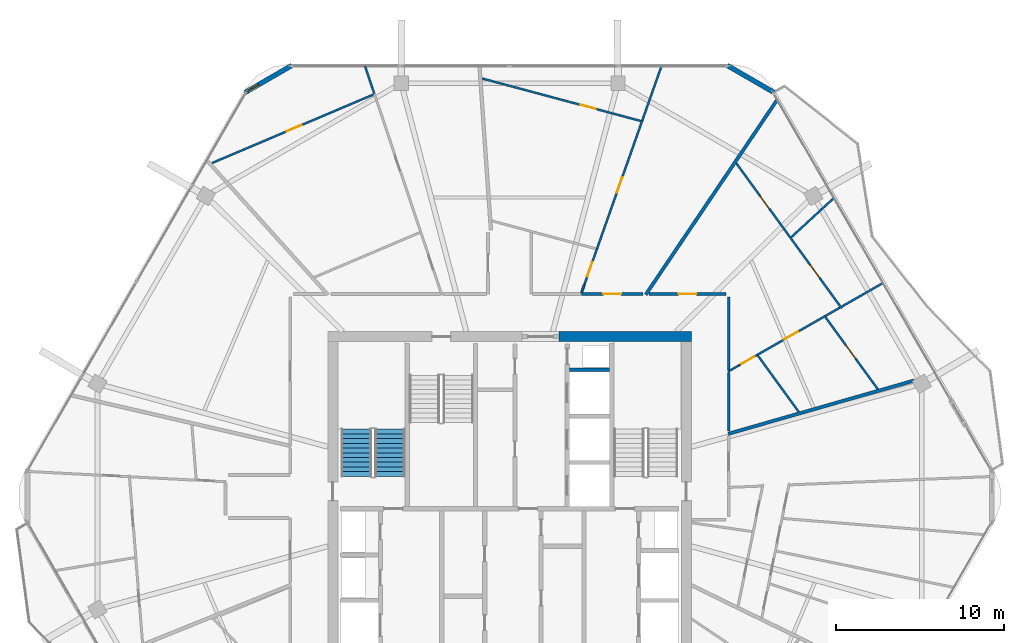
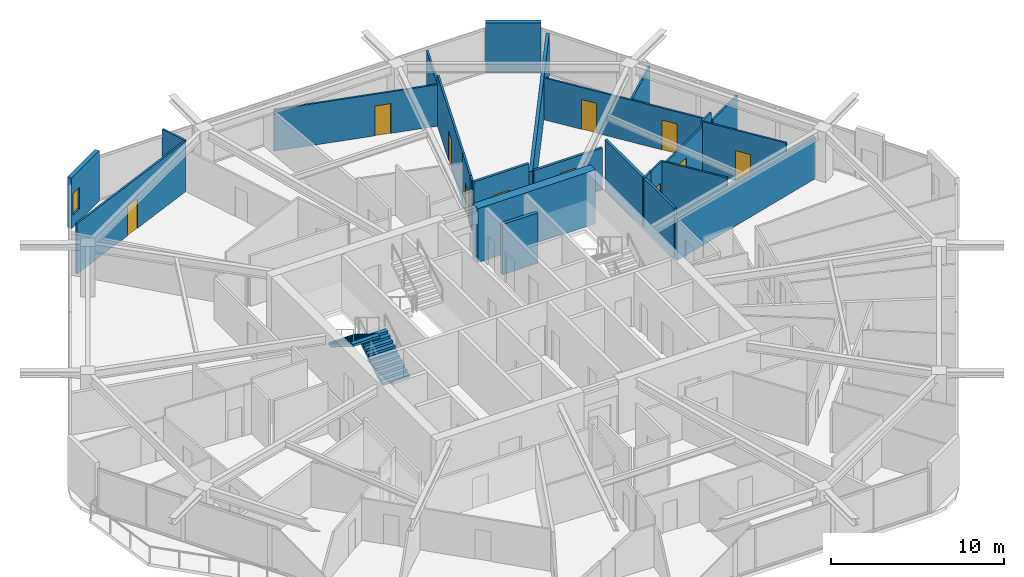
# One storey, part 22 of 26: 26 walls, 11 doors, 2 stair flights, 1 window, 12 openings, 1 element without a shape of its own.
"""IFC4 building model written with IfcOpenShell, lengths in metres."""

import ifcopenshell
import ifcopenshell.guid

model = None  # the IFC model being written
_history = None  # IfcOwnerHistory: only IFC2X3 demands one
_inside = {}  # id of a spatial element -> (the spatial element, [elements in it])
_under = {}  # id of a project, library or spatial element -> (it, [spatial elements below it])
_declared = {}  # id of a project -> (the project, [libraries it declares])
_typed = {}  # id of a type object -> (the type object, [elements of that type])
_made_of = {}  # id of a material, layer set ... -> (it, [elements and type objects made of it])


def new_model(schema):
    """Start an empty IFC model of exactly this schema.

    Asked for "IFC4X3", IfcOpenShell would pick the latest addendum, in which some entities
    have other attributes; the version numbers below select the first issue.
    IFC2X3 requires an IfcOwnerHistory on every rooted entity: one is made here for all.
    """
    global model, _history
    if schema == "IFC4X3":
        model = ifcopenshell.file(schema_version=(4, 3, 0, 0))
    else:
        model = ifcopenshell.file(schema=schema)
    _inside.clear()
    _under.clear()
    _declared.clear()
    _typed.clear()
    _made_of.clear()
    _history = None
    if model.schema == "IFC2X3":
        org = make("IfcOrganization", Name="unknown")
        user = make(
            "IfcPersonAndOrganization",
            ThePerson=make("IfcPerson", FamilyName="unknown"),
            TheOrganization=org,
        )
        app = make(
            "IfcApplication",
            ApplicationDeveloper=org,
            Version="unknown",
            ApplicationFullName="unknown",
            ApplicationIdentifier="unknown",
        )
        _history = make(
            "IfcOwnerHistory",
            OwningUser=user,
            OwningApplication=app,
            ChangeAction="ADDED",
            CreationDate=0,
        )
    return model


def make(cls, **values):
    """One entity of the class cls with the attributes given. An attribute that is None is left unset."""
    return model.create_entity(
        cls, **{name: value for name, value in values.items() if value is not None}
    )


def rooted(cls, **values):
    """An entity with a GlobalId (a new one), such as an element, a storey or a relation."""
    return make(cls, GlobalId=ifcopenshell.guid.new(), OwnerHistory=_history, **values)


def si_unit(unit_type, name, prefix=None):
    """IfcSIUnit, for example si_unit("LENGTHUNIT", "METRE", prefix="MILLI")."""
    return make("IfcSIUnit", UnitType=unit_type, Prefix=prefix, Name=name)


def assignment(units):
    """IfcUnitAssignment: the units of a project."""
    return None if units is None else make("IfcUnitAssignment", Units=units)


def point(xyz):
    """IfcCartesianPoint."""
    return None if xyz is None else make("IfcCartesianPoint", Coordinates=xyz)


def direction(xyz):
    """IfcDirection."""
    return None if xyz is None else make("IfcDirection", DirectionRatios=xyz)


def frame(location, z_axis=None, x_axis=None):
    """IfcAxis2Placement3D, a coordinate frame: its origin and axes. An axis left out is left unset."""
    return make(
        "IfcAxis2Placement3D",
        Location=point(location),
        Axis=direction(z_axis),
        RefDirection=direction(x_axis),
    )


def frame_2d(location, x_axis=None):
    """IfcAxis2Placement2D, a coordinate frame in the plane: its origin and x axis."""
    return make(
        "IfcAxis2Placement2D", Location=point(location), RefDirection=direction(x_axis)
    )


def origin():
    """The frame at (0, 0, 0) with its axes left unset."""
    return frame((0.0, 0.0, 0.0))


def place(relative_to, where):
    """IfcLocalPlacement: puts the frame where relative to a parent placement (None: the world)."""
    return make(
        "IfcLocalPlacement", PlacementRelTo=relative_to, RelativePlacement=where
    )


def context(
    kind, dimensions, precision=None, world=None, true_north=None, identifier=None
):
    """IfcGeometricRepresentationContext, for example the 3D "Model" context."""
    return make(
        "IfcGeometricRepresentationContext",
        ContextIdentifier=identifier,
        ContextType=kind,
        CoordinateSpaceDimension=dimensions,
        Precision=precision,
        WorldCoordinateSystem=world,
        TrueNorth=true_north,
    )


def subcontext(parent, identifier, kind, view, scale=None):
    """IfcGeometricRepresentationSubContext, for example "Body" below "Model"."""
    return make(
        "IfcGeometricRepresentationSubContext",
        ContextIdentifier=identifier,
        ContextType=kind,
        ParentContext=parent,
        TargetScale=scale,
        TargetView=view,
    )


def project(units=None, contexts=None):
    """IfcProject with its units and contexts."""
    return rooted(
        "IfcProject",
        Name="project",
        RepresentationContexts=contexts,
        UnitsInContext=assignment(units),
    )


def spatial(cls, under=None, at=None, **own):
    """A site, building, storey or space (cls), placed at a placement, below another one or the project."""
    s = rooted(cls, ObjectPlacement=at, **own)
    if under is not None:
        _under.setdefault(under.id(), (under, []))[1].append(s)
    return s


def polyline(points):
    """IfcPolyline through the points."""
    return make("IfcPolyline", Points=[point(p) for p in points])


def profile(cls, at=None, kind="AREA", **sizes):
    """A parametric profile (cls). Its sizes go by their IFC names, for example OverallWidth=200.0."""
    return make(cls, ProfileType=kind, Position=at, **sizes)


def rectangle(**sizes):
    """IfcRectangleProfileDef."""
    return profile("IfcRectangleProfileDef", **sizes)


def outline(outer, holes=None, kind="AREA"):
    """IfcArbitraryClosedProfileDef: a profile drawn as a closed curve; with holes, ...WithVoids."""
    if holes is None:
        return make("IfcArbitraryClosedProfileDef", ProfileType=kind, OuterCurve=outer)
    return make(
        "IfcArbitraryProfileDefWithVoids",
        ProfileType=kind,
        OuterCurve=outer,
        InnerCurves=holes,
    )


def extrude(swept, where, along, depth):
    """IfcExtrudedAreaSolid: the profile swept, set in the frame where, extruded along a direction by depth."""
    return make(
        "IfcExtrudedAreaSolid",
        SweptArea=swept,
        Position=where,
        ExtrudedDirection=direction(along),
        Depth=depth,
    )


def shape(context_of_items, identifier, shape_type, items):
    """IfcShapeRepresentation: the items that make up one representation, for example the "Body"."""
    return make(
        "IfcShapeRepresentation",
        ContextOfItems=context_of_items,
        RepresentationIdentifier=identifier,
        RepresentationType=shape_type,
        Items=items,
    )


def material(Name=None, Category=None):
    """IfcMaterial."""
    return make("IfcMaterial", Name=Name, Category=Category)


def layer(
    of_material, thickness, ventilated=None, Name=None, Category=None, Priority=None
):
    """IfcMaterialLayer: one layer of a wall or slab, of a material (None: an air gap)."""
    return make(
        "IfcMaterialLayer",
        Material=of_material,
        LayerThickness=thickness,
        IsVentilated=ventilated,
        Name=Name,
        Category=Category,
        Priority=Priority,
    )


def layer_set(layers, Name=None):
    """IfcMaterialLayerSet."""
    return make("IfcMaterialLayerSet", MaterialLayers=layers, LayerSetName=Name)


def made_of(thing, what):
    """Note that an element or type object is made of a material, layer set ...; save() writes the relation."""
    if what is not None:
        _made_of.setdefault(what.id(), (what, []))[1].append(thing)
    return thing


def type_object(cls, material=None, **own):
    """A type object (cls), such as IfcWallType, which elements share."""
    return made_of(rooted(cls, **own), material)


def element(
    cls,
    number,
    at=None,
    inside=None,
    cuts=None,
    type_object=None,
    material=None,
    context=None,
    identifier="Body",
    shape_type=None,
    held_by="IfcProductDefinitionShape",
    body=None,
    shapes=None,
    **own,
):
    """One element of the class cls, such as IfcWall. Its Tag is "e" and its number.

    at: its placement. inside: the storey or other place that contains it. cuts: it is an
    opening in that element (IfcRelVoidsElement). A single representation is given by context,
    identifier, shape_type and body (its items); several are given by shapes. held_by: the class
    of the entity that holds the representations. save() writes the other relations.
    """
    e = rooted(cls, Tag="e%d" % number, ObjectPlacement=at, **own)
    if body is not None:
        shapes = [shape(context, identifier, shape_type, body)]
    if shapes is not None:
        e.Representation = make(held_by, Representations=shapes)
    if inside is not None:
        _inside.setdefault(inside.id(), (inside, []))[1].append(e)
    if cuts is not None:
        rooted(
            "IfcRelVoidsElement", RelatingBuildingElement=cuts, RelatedOpeningElement=e
        )
    if type_object is not None:
        _typed.setdefault(type_object.id(), (type_object, []))[1].append(e)
    return made_of(e, material)


def fill(opening, filler):
    """IfcRelFillsElement: the door or window that sits in an opening."""
    return rooted(
        "IfcRelFillsElement",
        RelatingOpeningElement=opening,
        RelatedBuildingElement=filler,
    )


def aggregate(whole, parts):
    """IfcRelAggregates: a whole, such as a stair, and the parts it consists of."""
    return rooted("IfcRelAggregates", RelatingObject=whole, RelatedObjects=parts)


def save(model, path):
    """Write the relations noted so far, then the file.

    IfcRelAggregates (storeys below a building ...), IfcRelContainedInSpatialStructure (elements
    in a storey), IfcRelDefinesByType, IfcRelAssociatesMaterial and IfcRelDeclares: one each for
    every whole, place, type object, material and project.
    """
    for whole, parts in _under.values():
        aggregate(whole, parts)
    for where, things in _inside.values():
        rooted(
            "IfcRelContainedInSpatialStructure",
            RelatedElements=things,
            RelatingStructure=where,
        )
    for kind, things in _typed.values():
        rooted("IfcRelDefinesByType", RelatedObjects=things, RelatingType=kind)
    for what, things in _made_of.values():
        rooted("IfcRelAssociatesMaterial", RelatedObjects=things, RelatingMaterial=what)
    for by, libraries in _declared.values():
        rooted("IfcRelDeclares", RelatingContext=by, RelatedDefinitions=libraries)
    model.write(path)


model = new_model("IFC4")

# Units and contexts
model_context = context("Model", 3, precision=1e-05, world=origin(), true_north=direction((0.0, 1.0)))
body_context = subcontext(model_context, "Body", "Model", "MODEL_VIEW")
ifc_project = project(units=[si_unit("LENGTHUNIT", "METRE"), si_unit("AREAUNIT", "SQUARE_METRE"), si_unit("VOLUMEUNIT", "CUBIC_METRE"), si_unit("PLANEANGLEUNIT", "RADIAN"), si_unit("MASSUNIT", "GRAM", prefix="KILO")], contexts=[model_context])

# Site, building, storey
site_placement = place(None, origin())
site = spatial("IfcSite", under=ifc_project, at=site_placement, CompositionType="ELEMENT")
building_placement = place(site_placement, origin())
building = spatial("IfcBuilding", under=site, at=building_placement, Name="Zuhravey Tower", CompositionType="ELEMENT")
storey_placement = place(building_placement, frame((0.0, 0.0, 295.800048828125)))
storey = spatial("IfcBuildingStorey", under=building, at=storey_placement, Name="L75", CompositionType="ELEMENT", Elevation=295.800048828125)

# Wall
ifc_material_1 = material(Name="Concrete C50/60", Category="concrete")
ifc_layer_1 = layer(ifc_material_1, 0.60009765625)
ifc_layer_set_1 = layer_set([ifc_layer_1], Name="Concrete C50/60")
wall_type_1 = type_object("IfcWallType", Name="Core Shear Wall 600", PredefinedType="SHEAR", material=ifc_layer_set_1)
wall_1_placement = place(storey_placement, frame((46.800048828125, 41.5, 0.0), z_axis=(0.0, 0.0, 1.0), x_axis=(-1.0, 0.0, 0.0)))
element("IfcWall", 1, at=wall_1_placement, inside=storey, type_object=wall_type_1, Name="L75 North-East Core Shear Wall CW60", PredefinedType="SHEAR", context=body_context, shape_type="SweptSolid", body=[
    extrude(rectangle(XDim=7.85009765625, YDim=0.60009765625, at=frame_2d((3.925048828125, 0.0))), origin(), (0.0, 0.0, 1.0), 3.800048828125),
])

# Wall, opening, door
ifc_material_2 = material(Name="Gypsum fire-rated stud partition")
ifc_layer_2 = layer(ifc_material_2, 0.159912109375)
ifc_layer_set_2 = layer_set([ifc_layer_2], Name="Gypsum fire-rated stud partition")
wall_type_2 = type_object("IfcWallType", Name="Corridor Fire Partition 160", PredefinedType="PARTITIONING", material=ifc_layer_set_2)
wall_2_placement = place(storey_placement, frame((48.85009765625, 44.030029296875, 0.0), z_axis=(0.0, 0.0, 1.0), x_axis=(-1.0, 0.0, 0.0)))
wall_2 = element("IfcWall", 2, at=wall_2_placement, inside=storey, type_object=wall_type_2, Name="L75 IW16 Partition 043", PredefinedType="PARTITIONING", context=body_context, shape_type="SweptSolid", body=[
    extrude(rectangle(XDim=4.557861328125, YDim=0.159912109375, at=frame_2d((2.27880859375, 0.0))), origin(), (0.0, 0.0, 1.0), 2.949951171875),
])
opening_1_placement = place(wall_2_placement, frame((1.75390625, 0.0, 0.0)))
opening_1 = element("IfcOpeningElement", 3, at=opening_1_placement, cuts=wall_2, Name="Opening APD1", PredefinedType="OPENING", context=body_context, shape_type="SweptSolid", body=[
    extrude(rectangle(XDim=1.050048828125, YDim=2.14990234375, at=frame_2d((0.52490234375, 1.074951171875))), frame((0.0, 0.092041015625, 0.0), z_axis=(0.0, -1.0, 0.0), x_axis=(1.0, 0.0, 0.0)), (0.0, 0.0, 1.0), 0.183837890625),
])
ifc_material_3 = material(Name="Solid-core oak fire-rated leaf")
door_type_1 = type_object("IfcDoorType", Name="Apartment Entrance Fire Door 1050x2150", OperationType="NOTDEFINED", PredefinedType="DOOR", material=ifc_material_3)
door_1_placement = place(opening_1_placement, frame((1.050048828125, 0.0, 0.0), z_axis=(0.0, 0.0, 1.0), x_axis=(-1.0, 0.0, 0.0)))
door_1 = element("IfcDoor", 4, at=door_1_placement, inside=storey, type_object=door_type_1, Name="L75 Door 043.1", OperationType="SINGLE_SWING_LEFT", OverallHeight=2.14990234375, OverallWidth=1.050048828125, PredefinedType="DOOR", context=body_context, shape_type="SweptSolid", body=[
    extrude(rectangle(XDim=1.050048828125, YDim=2.14990234375, at=frame_2d((0.52490234375, 1.074951171875))), frame((0.0, 0.02490234375, 0.0), z_axis=(0.0, -1.0, 0.0), x_axis=(1.0, 0.0, 0.0)), (0.0, 0.0, 1.0), 0.050048828125),
])
fill(opening_1, door_1)

wall_3_placement = place(storey_placement, frame((43.9384765625, 44.030029296875, 0.0), z_axis=(0.0, 0.0, 1.0), x_axis=(-1.0, 0.0, 0.0)))
wall_3 = element("IfcWall", 5, at=wall_3_placement, inside=storey, type_object=wall_type_2, Name="L75 IW16 Partition 047", PredefinedType="PARTITIONING", context=body_context, shape_type="SweptSolid", body=[
    extrude(rectangle(XDim=3.67138671875, YDim=0.159912109375, at=frame_2d((1.835693359375, 0.0))), origin(), (0.0, 0.0, 1.0), 3.550048828125),
])
opening_2_placement = place(wall_3_placement, frame((1.310791015625, 0.0, 0.0)))
opening_2 = element("IfcOpeningElement", 6, at=opening_2_placement, cuts=wall_3, Name="Opening APD1", PredefinedType="OPENING", context=body_context, shape_type="SweptSolid", body=[
    extrude(rectangle(XDim=1.050048828125, YDim=2.14990234375, at=frame_2d((0.52490234375, 1.074951171875))), frame((0.0, 0.092041015625, 0.0), z_axis=(0.0, -1.0, 0.0), x_axis=(1.0, 0.0, 0.0)), (0.0, 0.0, 1.0), 0.183837890625),
])
door_2_placement = place(opening_2_placement, frame((1.050048828125, 0.0, 0.0), z_axis=(0.0, 0.0, 1.0), x_axis=(-1.0, 0.0, 0.0)))
door_2 = element("IfcDoor", 7, at=door_2_placement, inside=storey, type_object=door_type_1, Name="L75 Door 047.1", OperationType="SINGLE_SWING_LEFT", OverallHeight=2.14990234375, OverallWidth=1.050048828125, PredefinedType="DOOR", context=body_context, shape_type="SweptSolid", body=[
    extrude(rectangle(XDim=1.050048828125, YDim=2.14990234375, at=frame_2d((0.52490234375, 1.074951171875))), frame((0.0, 0.02490234375, 0.0), z_axis=(0.0, -1.0, 0.0), x_axis=(1.0, 0.0, 0.0)), (0.0, 0.0, 1.0), 0.050048828125),
])
fill(opening_2, door_2)

# Walls
wall_4_placement = place(storey_placement, frame((49.030029296875, 39.528564453125, 0.0), z_axis=(0.0, 0.0, 1.0), x_axis=(0.0, 1.0, 0.0)))
element("IfcWall", 8, at=wall_4_placement, inside=storey, type_object=wall_type_2, Name="L75 IW16 Partition 118", PredefinedType="PARTITIONING", context=body_context, shape_type="SweptSolid", body=[
    extrude(rectangle(XDim=4.321533203125, YDim=0.159912109375, at=frame_2d((2.16064453125, 0.0))), origin(), (0.0, 0.0, 1.0), 3.550048828125),
])
wall_5_placement = place(storey_placement, frame((49.030029296875, 35.880615234375, 0.0), z_axis=(0.0, 0.0, 1.0), x_axis=(0.0, 1.0, 0.0)))
element("IfcWall", 9, at=wall_5_placement, inside=storey, type_object=wall_type_2, Name="L75 IW16 Partition 119", PredefinedType="PARTITIONING", context=body_context, shape_type="SweptSolid", body=[
    extrude(rectangle(XDim=3.4912109375, YDim=0.159912109375, at=frame_2d((1.74560546875, 0.0))), origin(), (0.0, 0.0, 1.0), 3.550048828125),
])

# Wall, opening, window
ifc_material_4 = material(Name="Precast concrete C40/50", Category="concrete")
ifc_layer_3 = layer(ifc_material_4, 0.280029296875)
ifc_layer_set_3 = layer_set([ifc_layer_3], Name="Precast concrete C40/50")
wall_type_3 = type_object("IfcWallType", Name="Crown Architectural Wall 280", PredefinedType="SOLIDWALL", material=ifc_layer_set_3)
wall_6_placement = place(storey_placement, frame((20.285400390625, 56.003662109375, 0.0), z_axis=(0.0, 0.0, 1.0), x_axis=(0.866028773314, 0.499994163758, 0.0)))
wall_6 = element("IfcWall", 10, at=wall_6_placement, inside=storey, type_object=wall_type_3, Name="L75 Rounded Corner Closure Wall EW28-08", PredefinedType="SOLIDWALL", context=body_context, shape_type="SweptSolid", body=[
    extrude(rectangle(XDim=3.21484375, YDim=0.280029296875, at=frame_2d((1.607421875, 0.0))), origin(), (0.0, 0.0, 1.0), 3.550048828125),
])
opening_3_placement = place(wall_6_placement, frame((0.17578125, 0.0, 0.85009765625)))
opening_3 = element("IfcOpeningElement", 11, at=opening_3_placement, cuts=wall_6, Name="Opening WN5", PredefinedType="OPENING", context=body_context, shape_type="SweptSolid", body=[
    extrude(rectangle(XDim=0.75, YDim=1.5, at=frame_2d((0.375, 0.75))), frame((0.0, 0.152099609375, 0.0), z_axis=(0.0, -1.0, 0.0), x_axis=(1.0, 0.0, 0.0)), (0.0, 0.0, 1.0), 0.303955078125),
])
ifc_material_5 = material(Name="Thermally broken aluminium and triple low-E glass", Category="aluminium")
window_type = type_object("IfcWindowType", Name="Residential Corner Casement Window 750x1500", PartitioningType="SINGLE_PANEL", PredefinedType="WINDOW", material=ifc_material_5)
window_placement = place(opening_3_placement, origin())
window = element("IfcWindow", 12, at=window_placement, inside=storey, type_object=window_type, Name="L75 Corner Casement Window WN5-08.1", OverallHeight=1.5, OverallWidth=0.75, PartitioningType="SINGLE_PANEL", PredefinedType="WINDOW", context=body_context, shape_type="SweptSolid", body=[
    extrude(rectangle(XDim=0.75, YDim=1.5, at=frame_2d((0.375, 0.75))), frame((0.0, 0.030029296875, 0.0), z_axis=(0.0, -1.0, 0.0), x_axis=(1.0, 0.0, 0.0)), (0.0, 0.0, 1.0), 0.06005859375),
])
fill(opening_3, window)

# Walls
wall_7_placement = place(storey_placement, frame((48.930419921875, 57.611083984375, 0.0), z_axis=(0.0, 0.0, 1.0), x_axis=(0.866028773314, -0.499994163758, 0.0)))
element("IfcWall", 13, at=wall_7_placement, inside=storey, type_object=wall_type_3, Name="L75 Rounded Corner Closure Wall EW28-10", PredefinedType="SOLIDWALL", context=body_context, shape_type="SweptSolid", body=[
    extrude(rectangle(XDim=3.21484375, YDim=0.280029296875, at=frame_2d((1.607421875, 0.0))), origin(), (0.0, 0.0, 1.0), 3.550048828125),
])
ifc_material_6 = material(Name="Gypsum double-stud party assembly")
ifc_layer_4 = layer(ifc_material_6, 0.199951171875)
ifc_layer_set_4 = layer_set([ifc_layer_4], Name="Gypsum double-stud party assembly")
wall_type_4 = type_object("IfcWallType", Name="Inter-Tenancy Party Wall 200", PredefinedType="PARTITIONING", material=ifc_layer_set_4)
wall_8_placement = place(storey_placement, frame((48.989990234375, 35.724853515625, 0.0), z_axis=(0.0, 0.0, 1.0), x_axis=(0.961260623408, 0.275641096148, 0.0)))
element("IfcWall", 14, at=wall_8_placement, inside=storey, type_object=wall_type_4, Name="L75 IW20 Partition 087", PredefinedType="PARTITIONING", context=body_context, shape_type="SweptSolid", body=[
    extrude(rectangle(XDim=11.494873046875, YDim=0.199951171875, at=frame_2d((5.74755859375, 0.0))), origin(), (0.0, 0.0, 1.0), 2.949951171875),
])
wall_9_placement = place(storey_placement, frame((44.08740234375, 43.989990234375, 0.0), z_axis=(0.0, 0.0, 1.0), x_axis=(0.559185775918, 0.829042380106, 0.0)))
element("IfcWall", 15, at=wall_9_placement, inside=storey, type_object=wall_type_4, Name="L75 IW20 Partition 093", PredefinedType="PARTITIONING", context=body_context, shape_type="SweptSolid", body=[
    extrude(rectangle(XDim=13.9794921875, YDim=0.199951171875, at=frame_2d((6.98974609375, 0.0))), origin(), (0.0, 0.0, 1.0), 2.929931640625),
])
ifc_material_7 = material(Name="Gypsum acoustic stud assembly")
ifc_layer_5 = layer(ifc_material_7, 0.219970703125)
ifc_layer_set_5 = layer_set([ifc_layer_5], Name="Gypsum acoustic stud assembly")
wall_type_5 = type_object("IfcWallType", Name="School Acoustic Compartment Wall 220", PredefinedType="PARTITIONING", material=ifc_layer_set_5)
wall_10_placement = place(storey_placement, frame((39.55810546875, 39.52490234375, 0.0), z_axis=(0.0, 0.0, 1.0), x_axis=(1.0, 0.0, 0.0)))
element("IfcWall", 16, at=wall_10_placement, inside=storey, type_object=wall_type_5, Name="L75 IW22 Partition 061", PredefinedType="PARTITIONING", context=body_context, shape_type="SweptSolid", body=[
    extrude(rectangle(XDim=2.3837890625, YDim=0.219970703125, at=frame_2d((1.19189453125, 0.0))), origin(), (0.0, 0.0, 1.0), 3.550048828125),
])

# Wall, openings, doors
ifc_material_8 = material(Name="Gypsum metal-stud partition")
ifc_layer_6 = layer(ifc_material_8, 0.1201171875)
ifc_layer_set_6 = layer_set([ifc_layer_6], Name="Gypsum metal-stud partition")
wall_type_6 = type_object("IfcWallType", Name="Unit Internal Partition 120", PredefinedType="PARTITIONING", material=ifc_layer_set_6)
wall_11_placement = place(storey_placement, frame((55.739990234375, 43.171630859375, 0.0), z_axis=(0.0, 0.0, 1.0), x_axis=(-0.587799577842, 0.80900658606, 0.0)))
wall_11 = element("IfcWall", 17, at=wall_11_placement, inside=storey, type_object=wall_type_6, Name="L75 IW12 Partition 039", PredefinedType="PARTITIONING", context=body_context, shape_type="SweptSolid", body=[
    extrude(rectangle(XDim=10.651611328125, YDim=0.1201171875, at=frame_2d((5.32568359375, 0.0))), origin(), (0.0, 0.0, 1.0), 2.949951171875),
])
opening_4_placement = place(wall_11_placement, frame((2.238037109375, 0.0, 0.0)))
opening_4 = element("IfcOpeningElement", 18, at=opening_4_placement, cuts=wall_11, Name="Opening IND1", PredefinedType="OPENING", context=body_context, shape_type="SweptSolid", body=[
    extrude(rectangle(XDim=0.949951171875, YDim=2.10009765625, at=frame_2d((0.47509765625, 1.050048828125))), frame((0.0, 0.072021484375, 0.0), z_axis=(0.0, -1.0, 0.0), x_axis=(1.0, 0.0, 0.0)), (0.0, 0.0, 1.0), 0.14404296875),
])
opening_5_placement = place(wall_11_placement, frame((7.322998046875, 0.0, 0.0)))
opening_5 = element("IfcOpeningElement", 19, at=opening_5_placement, cuts=wall_11, Name="Opening IND1", PredefinedType="OPENING", context=body_context, shape_type="SweptSolid", body=[
    extrude(rectangle(XDim=0.949951171875, YDim=2.10009765625, at=frame_2d((0.47509765625, 1.050048828125))), frame((0.0, 0.072021484375, 0.0), z_axis=(0.0, -1.0, 0.0), x_axis=(1.0, 0.0, 0.0)), (0.0, 0.0, 1.0), 0.14404296875),
])
ifc_material_9 = material(Name="Painted engineered timber leaf", Category="wood")
door_type_2 = type_object("IfcDoorType", Name="Internal Room & Bedroom Door 950x2100", OperationType="NOTDEFINED", PredefinedType="DOOR", material=ifc_material_9)
door_3_placement = place(opening_4_placement, frame((0.949951171875, 0.0, 0.0), z_axis=(0.0, 0.0, 1.0), x_axis=(-1.0, 0.0, 0.0)))
door_3 = element("IfcDoor", 20, at=door_3_placement, inside=storey, type_object=door_type_2, Name="Apartment L75-05 Family Study Door", OperationType="SINGLE_SWING_RIGHT", OverallHeight=2.10009765625, OverallWidth=0.949951171875, PredefinedType="DOOR", context=body_context, shape_type="SweptSolid", body=[
    extrude(rectangle(XDim=0.949951171875, YDim=2.10009765625, at=frame_2d((0.47509765625, 1.050048828125))), frame((0.0, 0.02490234375, 0.0), z_axis=(0.0, -1.0, 0.0), x_axis=(1.0, 0.0, 0.0)), (0.0, 0.0, 1.0), 0.050048828125),
])
fill(opening_4, door_3)
door_4_placement = place(opening_5_placement, frame((0.949951171875, 0.0, 0.0), z_axis=(0.0, 0.0, 1.0), x_axis=(-1.0, 0.0, 0.0)))
door_4 = element("IfcDoor", 21, at=door_4_placement, inside=storey, type_object=door_type_2, Name="Apartment L75-05 Dining Room Door", OperationType="SINGLE_SWING_LEFT", OverallHeight=2.10009765625, OverallWidth=0.949951171875, PredefinedType="DOOR", context=body_context, shape_type="SweptSolid", body=[
    extrude(rectangle(XDim=0.949951171875, YDim=2.10009765625, at=frame_2d((0.47509765625, 1.050048828125))), frame((0.0, 0.02490234375, 0.0), z_axis=(0.0, -1.0, 0.0), x_axis=(1.0, 0.0, 0.0)), (0.0, 0.0, 1.0), 0.050048828125),
])
fill(opening_5, door_4)

# Wall, opening, door
wall_12_placement = place(storey_placement, frame((49.60009765625, 39.776123046875, 0.0), z_axis=(0.0, 0.0, 1.0), x_axis=(0.868071653211, 0.496438923627, 0.0)))
wall_12 = element("IfcWall", 22, at=wall_12_placement, inside=storey, type_object=wall_type_6, Name="L75 IW12 Partition 040", PredefinedType="PARTITIONING", context=body_context, shape_type="SweptSolid", body=[
    extrude(rectangle(XDim=1.314453125, YDim=0.1201171875, at=frame_2d((0.6572265625, 0.0))), origin(), (0.0, 0.0, 1.0), 3.550048828125),
])
opening_6_placement = place(wall_12_placement, frame((0.199951171875, 0.0, 0.0)))
opening_6 = element("IfcOpeningElement", 23, at=opening_6_placement, cuts=wall_12, Name="Opening WCD1", PredefinedType="OPENING", context=body_context, shape_type="SweptSolid", body=[
    extrude(rectangle(XDim=0.89990234375, YDim=2.10009765625, at=frame_2d((0.449951171875, 1.050048828125))), frame((0.0, 0.072021484375, 0.0), z_axis=(0.0, -1.0, 0.0), x_axis=(1.0, 0.0, 0.0)), (0.0, 0.0, 1.0), 0.14404296875),
])
ifc_material_10 = material(Name="Moisture-resistant timber leaf", Category="wood")
door_type_3 = type_object("IfcDoorType", Name="Bathroom & WC Internal Door 900x2100", OperationType="NOTDEFINED", PredefinedType="DOOR", material=ifc_material_10)
door_5_placement = place(opening_6_placement, frame((0.89990234375, 0.0, 0.0), z_axis=(0.0, 0.0, 1.0), x_axis=(-1.0, 0.0, 0.0)))
door_5 = element("IfcDoor", 24, at=door_5_placement, inside=storey, type_object=door_type_3, Name="Apartment L75-05 Bathroom Door", OperationType="SINGLE_SWING_RIGHT", OverallHeight=2.10009765625, OverallWidth=0.89990234375, PredefinedType="DOOR", context=body_context, shape_type="SweptSolid", body=[
    extrude(rectangle(XDim=0.89990234375, YDim=2.10009765625, at=frame_2d((0.449951171875, 1.050048828125))), frame((0.0, 0.02490234375, 0.0), z_axis=(0.0, -1.0, 0.0), x_axis=(1.0, 0.0, 0.0)), (0.0, 0.0, 1.0), 0.050048828125),
])
fill(opening_6, door_5)

wall_13_placement = place(storey_placement, frame((50.7412109375, 40.4287109375, 0.0), z_axis=(0.0, 0.0, 1.0), x_axis=(0.868106480207, 0.496378020286, 0.0)))
wall_13 = element("IfcWall", 25, at=wall_13_placement, inside=storey, type_object=wall_type_6, Name="L75 IW12 Partition 041", PredefinedType="PARTITIONING", context=body_context, shape_type="SweptSolid", body=[
    extrude(rectangle(XDim=4.618408203125, YDim=0.1201171875, at=frame_2d((2.30908203125, 0.0))), origin(), (0.0, 0.0, 1.0), 3.14990234375),
])
opening_7_placement = place(wall_13_placement, frame((1.80908203125, 0.0, 0.0)))
opening_7 = element("IfcOpeningElement", 26, at=opening_7_placement, cuts=wall_13, Name="Opening IND1", PredefinedType="OPENING", context=body_context, shape_type="SweptSolid", body=[
    extrude(rectangle(XDim=0.949951171875, YDim=2.10009765625, at=frame_2d((0.47509765625, 1.050048828125))), frame((0.0, 0.072021484375, 0.0), z_axis=(0.0, -1.0, 0.0), x_axis=(1.0, 0.0, 0.0)), (0.0, 0.0, 1.0), 0.14404296875),
])
door_6_placement = place(opening_7_placement, frame((0.949951171875, 0.0, 0.0), z_axis=(0.0, 0.0, 1.0), x_axis=(-1.0, 0.0, 0.0)))
door_6 = element("IfcDoor", 27, at=door_6_placement, inside=storey, type_object=door_type_2, Name="Apartment L75-05 Home Office Door", OperationType="SINGLE_SWING_LEFT", OverallHeight=2.10009765625, OverallWidth=0.949951171875, PredefinedType="DOOR", context=body_context, shape_type="SweptSolid", body=[
    extrude(rectangle(XDim=0.949951171875, YDim=2.10009765625, at=frame_2d((0.47509765625, 1.050048828125))), frame((0.0, 0.02490234375, 0.0), z_axis=(0.0, -1.0, 0.0), x_axis=(1.0, 0.0, 0.0)), (0.0, 0.0, 1.0), 0.050048828125),
])
fill(opening_7, door_6)

wall_14_placement = place(storey_placement, frame((57.876708984375, 38.3759765625, 0.0), z_axis=(0.0, 0.0, 1.0), x_axis=(-0.587814715894, 0.808995586996, 0.0)))
wall_14 = element("IfcWall", 28, at=wall_14_placement, inside=storey, type_object=wall_type_6, Name="L75 IW12 Partition 042", PredefinedType="PARTITIONING", context=body_context, shape_type="SweptSolid", body=[
    extrude(rectangle(XDim=5.287109375, YDim=0.1201171875, at=frame_2d((2.6435546875, 0.0))), origin(), (0.0, 0.0, 1.0), 3.550048828125),
])
opening_8_placement = place(wall_14_placement, frame((2.253173828125, 0.0, 0.0)))
opening_8 = element("IfcOpeningElement", 29, at=opening_8_placement, cuts=wall_14, Name="Opening IND1", PredefinedType="OPENING", context=body_context, shape_type="SweptSolid", body=[
    extrude(rectangle(XDim=0.949951171875, YDim=2.10009765625, at=frame_2d((0.47509765625, 1.050048828125))), frame((0.0, 0.072021484375, 0.0), z_axis=(0.0, -1.0, 0.0), x_axis=(1.0, 0.0, 0.0)), (0.0, 0.0, 1.0), 0.14404296875),
])
door_7_placement = place(opening_8_placement, frame((0.949951171875, 0.0, 0.0), z_axis=(0.0, 0.0, 1.0), x_axis=(-1.0, 0.0, 0.0)))
door_7 = element("IfcDoor", 30, at=door_7_placement, inside=storey, type_object=door_type_2, Name="Apartment L75-05 Bedroom 1 Door", OperationType="SINGLE_SWING_RIGHT", OverallHeight=2.10009765625, OverallWidth=0.949951171875, PredefinedType="DOOR", context=body_context, shape_type="SweptSolid", body=[
    extrude(rectangle(XDim=0.949951171875, YDim=2.10009765625, at=frame_2d((0.47509765625, 1.050048828125))), frame((0.0, 0.02490234375, 0.0), z_axis=(0.0, -1.0, 0.0), x_axis=(1.0, 0.0, 0.0)), (0.0, 0.0, 1.0), 0.050048828125),
])
fill(opening_8, door_7)

wall_15_placement = place(storey_placement, frame((40.447021484375, 44.60009765625, 0.0), z_axis=(0.0, 0.0, 1.0), x_axis=(0.332899370386, 0.942962358314, 0.0)))
wall_15 = element("IfcWall", 31, at=wall_15_placement, inside=storey, type_object=wall_type_6, Name="L75 IW12 Partition 044", PredefinedType="PARTITIONING", context=body_context, shape_type="SweptSolid", body=[
    extrude(rectangle(XDim=2.255859375, YDim=0.1201171875, at=frame_2d((1.1279296875, 0.0))), origin(), (0.0, 0.0, 1.0), 3.550048828125),
])
opening_9_placement = place(wall_15_placement, frame((0.49755859375, 0.0, 0.0)))
opening_9 = element("IfcOpeningElement", 32, at=opening_9_placement, cuts=wall_15, Name="Opening WCD1", PredefinedType="OPENING", context=body_context, shape_type="SweptSolid", body=[
    extrude(rectangle(XDim=0.89990234375, YDim=2.10009765625, at=frame_2d((0.449951171875, 1.050048828125))), frame((0.0, 0.072021484375, 0.0), z_axis=(0.0, -1.0, 0.0), x_axis=(1.0, 0.0, 0.0)), (0.0, 0.0, 1.0), 0.14404296875),
])
door_8_placement = place(opening_9_placement, origin())
door_8 = element("IfcDoor", 33, at=door_8_placement, inside=storey, type_object=door_type_3, Name="Apartment L75-06 Bathroom Door", OperationType="SINGLE_SWING_RIGHT", OverallHeight=2.10009765625, OverallWidth=0.89990234375, PredefinedType="DOOR", context=body_context, shape_type="SweptSolid", body=[
    extrude(rectangle(XDim=0.89990234375, YDim=2.10009765625, at=frame_2d((0.449951171875, 1.050048828125))), frame((0.0, 0.02490234375, 0.0), z_axis=(0.0, -1.0, 0.0), x_axis=(1.0, 0.0, 0.0)), (0.0, 0.0, 1.0), 0.050048828125),
])
fill(opening_9, door_8)

wall_16_placement = place(storey_placement, frame((41.197998046875, 46.727294921875, 0.0), z_axis=(0.0, 0.0, 1.0), x_axis=(0.332809008286, 0.942994254491, 0.0)))
wall_16 = element("IfcWall", 34, at=wall_16_placement, inside=storey, type_object=wall_type_6, Name="L75 IW12 Partition 045", PredefinedType="PARTITIONING", context=body_context, shape_type="SweptSolid", body=[
    extrude(rectangle(XDim=8.046630859375, YDim=0.1201171875, at=frame_2d((4.0234375, 0.0))), origin(), (0.0, 0.0, 1.0), 3.550048828125),
])
opening_10_placement = place(wall_16_placement, frame((3.523193359375, 0.0, 0.0)))
opening_10 = element("IfcOpeningElement", 35, at=opening_10_placement, cuts=wall_16, Name="Opening IND1", PredefinedType="OPENING", context=body_context, shape_type="SweptSolid", body=[
    extrude(rectangle(XDim=0.949951171875, YDim=2.10009765625, at=frame_2d((0.47509765625, 1.050048828125))), frame((0.0, 0.072021484375, 0.0), z_axis=(0.0, -1.0, 0.0), x_axis=(1.0, 0.0, 0.0)), (0.0, 0.0, 1.0), 0.14404296875),
])
door_9_placement = place(opening_10_placement, origin())
door_9 = element("IfcDoor", 36, at=door_9_placement, inside=storey, type_object=door_type_2, Name="Apartment L75-06 Home Office Door", OperationType="SINGLE_SWING_LEFT", OverallHeight=2.10009765625, OverallWidth=0.949951171875, PredefinedType="DOOR", context=body_context, shape_type="SweptSolid", body=[
    extrude(rectangle(XDim=0.949951171875, YDim=2.10009765625, at=frame_2d((0.47509765625, 1.050048828125))), frame((0.0, 0.02490234375, 0.0), z_axis=(0.0, -1.0, 0.0), x_axis=(1.0, 0.0, 0.0)), (0.0, 0.0, 1.0), 0.050048828125),
])
fill(opening_10, door_9)

wall_17_placement = place(storey_placement, frame((43.8017578125, 54.309326171875, 0.0), z_axis=(0.0, 0.0, 1.0), x_axis=(-0.965929727631, 0.258804484658, 0.0)))
wall_17 = element("IfcWall", 37, at=wall_17_placement, inside=storey, type_object=wall_type_6, Name="L75 IW12 Partition 046", PredefinedType="PARTITIONING", context=body_context, shape_type="SweptSolid", body=[
    extrude(rectangle(XDim=9.753173828125, YDim=0.1201171875, at=frame_2d((4.87646484375, 0.0))), origin(), (0.0, 0.0, 1.0), 2.929931640625),
])
opening_11_placement = place(wall_17_placement, frame((2.77734375, 0.0, 0.0)))
opening_11 = element("IfcOpeningElement", 38, at=opening_11_placement, cuts=wall_17, Name="Opening IND1", PredefinedType="OPENING", context=body_context, shape_type="SweptSolid", body=[
    extrude(rectangle(XDim=0.949951171875, YDim=2.10009765625, at=frame_2d((0.47509765625, 1.050048828125))), frame((0.0, 0.072021484375, 0.0), z_axis=(0.0, -1.0, 0.0), x_axis=(1.0, 0.0, 0.0)), (0.0, 0.0, 1.0), 0.14404296875),
])
door_10_placement = place(opening_11_placement, frame((0.949951171875, 0.0, 0.0), z_axis=(0.0, 0.0, 1.0), x_axis=(-1.0, 0.0, 0.0)))
door_10 = element("IfcDoor", 39, at=door_10_placement, inside=storey, type_object=door_type_2, Name="Apartment L75-06 Bedroom 1 Door", OperationType="SINGLE_SWING_RIGHT", OverallHeight=2.10009765625, OverallWidth=0.949951171875, PredefinedType="DOOR", context=body_context, shape_type="SweptSolid", body=[
    extrude(rectangle(XDim=0.949951171875, YDim=2.10009765625, at=frame_2d((0.47509765625, 1.050048828125))), frame((0.0, 0.02490234375, 0.0), z_axis=(0.0, -1.0, 0.0), x_axis=(1.0, 0.0, 0.0)), (0.0, 0.0, 1.0), 0.050048828125),
])
fill(opening_11, door_10)

wall_18_placement = place(storey_placement, frame((27.909912109375, 55.88134765625, 0.0), z_axis=(0.0, 0.0, 1.0), x_axis=(-0.920502753641, -0.390736075299, 0.0)))
wall_18 = element("IfcWall", 40, at=wall_18_placement, inside=storey, type_object=wall_type_6, Name="L75 IW12 Partition 050", PredefinedType="PARTITIONING", context=body_context, shape_type="SweptSolid", body=[
    extrude(rectangle(XDim=10.402587890625, YDim=0.1201171875, at=frame_2d((5.201171875, 0.0))), origin(), (0.0, 0.0, 1.0), 3.550048828125),
])
opening_12_placement = place(wall_18_placement, frame((4.64208984375, 0.0, 0.0)))
opening_12 = element("IfcOpeningElement", 41, at=opening_12_placement, cuts=wall_18, Name="Opening IND1", PredefinedType="OPENING", context=body_context, shape_type="SweptSolid", body=[
    extrude(rectangle(XDim=0.949951171875, YDim=2.10009765625, at=frame_2d((0.47509765625, 1.050048828125))), frame((0.0, 0.072021484375, 0.0), z_axis=(0.0, -1.0, 0.0), x_axis=(1.0, 0.0, 0.0)), (0.0, 0.0, 1.0), 0.14404296875),
])
door_11_placement = place(opening_12_placement, frame((0.949951171875, 0.0, 0.0), z_axis=(0.0, 0.0, 1.0), x_axis=(-1.0, 0.0, 0.0)))
door_11 = element("IfcDoor", 42, at=door_11_placement, inside=storey, type_object=door_type_2, Name="Apartment L75-07 Bedroom 1 Door", OperationType="SINGLE_SWING_RIGHT", OverallHeight=2.10009765625, OverallWidth=0.949951171875, PredefinedType="DOOR", context=body_context, shape_type="SweptSolid", body=[
    extrude(rectangle(XDim=0.949951171875, YDim=2.10009765625, at=frame_2d((0.47509765625, 1.050048828125))), frame((0.0, 0.02490234375, 0.0), z_axis=(0.0, -1.0, 0.0), x_axis=(1.0, 0.0, 0.0)), (0.0, 0.0, 1.0), 0.050048828125),
])
fill(opening_12, door_11)

# Walls
wall_19_placement = place(storey_placement, frame((52.742919921875, 47.412109375, 0.0), z_axis=(0.0, 0.0, 1.0), x_axis=(0.735754395467, 0.677248454816, 0.0)))
element("IfcWall", 43, at=wall_19_placement, inside=storey, type_object=wall_type_6, Name="L75 IW12 Partition 088", PredefinedType="PARTITIONING", context=body_context, shape_type="SweptSolid", body=[
    extrude(rectangle(XDim=3.471923828125, YDim=0.1201171875, at=frame_2d((1.73583984375, 0.0))), origin(), (0.0, 0.0, 1.0), 2.929931640625),
])
wall_20_placement = place(storey_placement, frame((48.985107421875, 39.424560546875, 0.0), z_axis=(0.0, 0.0, 1.0), x_axis=(0.86815829398, 0.496287393144, 0.0)))
element("IfcWall", 44, at=wall_20_placement, inside=storey, type_object=wall_type_6, Name="L75 IW12 Partition 089", PredefinedType="PARTITIONING", context=body_context, shape_type="SweptSolid", body=[
    extrude(rectangle(XDim=0.70849609375, YDim=0.1201171875, at=frame_2d((0.354248046875, 0.0))), origin(), (0.0, 0.0, 1.0), 3.550048828125),
])
wall_21_placement = place(storey_placement, frame((54.75048828125, 42.72119140625, 0.0), z_axis=(0.0, 0.0, 1.0), x_axis=(0.868168243338, 0.496269988272, 0.0)))
element("IfcWall", 45, at=wall_21_placement, inside=storey, type_object=wall_type_6, Name="L75 IW12 Partition 090", PredefinedType="PARTITIONING", context=body_context, shape_type="SweptSolid", body=[
    extrude(rectangle(XDim=1.003173828125, YDim=0.1201171875, at=frame_2d((0.50146484375, 0.0))), origin(), (0.0, 0.0, 1.0), 3.550048828125),
])
wall_22_placement = place(storey_placement, frame((55.739990234375, 43.287109375, 0.0), z_axis=(0.0, 0.0, 1.0), x_axis=(0.86812100043, 0.496352625271, 0.0)))
element("IfcWall", 46, at=wall_22_placement, inside=storey, type_object=wall_type_6, Name="L75 IW12 Partition 091", PredefinedType="PARTITIONING", context=body_context, shape_type="SweptSolid", body=[
    extrude(rectangle(XDim=2.829833984375, YDim=0.1201171875, at=frame_2d((1.4150390625, 0.0))), origin(), (0.0, 0.0, 1.0), 2.929931640625),
])
wall_23_placement = place(storey_placement, frame((53.174560546875, 37.037109375, 0.0), z_axis=(0.0, 0.0, 1.0), x_axis=(-0.587790054637, 0.809013505245, 0.0)))
element("IfcWall", 47, at=wall_23_placement, inside=storey, type_object=wall_type_6, Name="L75 IW12 Partition 092", PredefinedType="PARTITIONING", context=body_context, shape_type="SweptSolid", body=[
    extrude(rectangle(XDim=4.108642578125, YDim=0.1201171875, at=frame_2d((2.05419921875, 0.0))), origin(), (0.0, 0.0, 1.0), 3.550048828125),
])
wall_24_placement = place(storey_placement, frame((40.277099609375, 44.117919921875, 0.0), z_axis=(0.0, 0.0, 1.0), x_axis=(0.332370454089, 0.943148917854, 0.0)))
element("IfcWall", 48, at=wall_24_placement, inside=storey, type_object=wall_type_6, Name="L75 IW12 Partition 094", PredefinedType="PARTITIONING", context=body_context, shape_type="SweptSolid", body=[
    extrude(rectangle(XDim=0.51123046875, YDim=0.1201171875, at=frame_2d((0.255615234375, 0.0))), origin(), (0.0, 0.0, 1.0), 3.550048828125),
])
wall_25_placement = place(storey_placement, frame((43.8759765625, 54.315185546875, 0.0), z_axis=(0.0, 0.0, 1.0), x_axis=(0.332809008286, 0.942994254491, 0.0)))
element("IfcWall", 49, at=wall_25_placement, inside=storey, type_object=wall_type_6, Name="L75 IW12 Partition 095", PredefinedType="PARTITIONING", context=body_context, shape_type="SweptSolid", body=[
    extrude(rectangle(XDim=3.448486328125, YDim=0.1201171875, at=frame_2d((1.72412109375, 0.0))), origin(), (0.0, 0.0, 1.0), 2.929931640625),
])
wall_26_placement = place(storey_placement, frame((27.964599609375, 55.931640625, 0.0), z_axis=(0.0, 0.0, 1.0), x_axis=(-0.318263016202, 0.948002453857, 0.0)))
element("IfcWall", 50, at=wall_26_placement, inside=storey, type_object=wall_type_6, Name="L75 IW12 Partition 099", PredefinedType="PARTITIONING", context=body_context, shape_type="SweptSolid", body=[
    extrude(rectangle(XDim=1.726806640625, YDim=0.1201171875, at=frame_2d((0.86328125, 0.0))), origin(), (0.0, 0.0, 1.0), 3.550048828125),
])

# Stair, stair flights
ifc_material_11 = material(Name="Concrete C40/50", Category="concrete")
stair_type = type_object("IfcStairType", Name="Housing Storey Stair Assembly 3800", PredefinedType="HALF_TURN_STAIR", material=ifc_material_11)
stair_placement = place(storey_placement, origin())
stair = element("IfcStair", 51, at=stair_placement, inside=storey, type_object=stair_type, Name="L75 Core Exit Stair ST1", PredefinedType="HALF_TURN_STAIR")
stair_flight_type = type_object("IfcStairFlightType", Name="Housing Storey Stair Flight 3800", PredefinedType="STRAIGHT", material=ifc_material_11)
stair_flight_1_placement = place(storey_placement, frame((28.89990234375, 33.199951171875, 0.0), z_axis=(0.0, 0.0, 1.0), x_axis=(0.0, 1.0, 0.0)))
stair_flight_1 = element("IfcStairFlight", 52, at=stair_flight_1_placement, type_object=stair_flight_type, Name="ST1 flight 1", NumberOfRisers=11, NumberOfTreads=10, PredefinedType="STRAIGHT", RiserHeight=0.172727273, TreadLength=0.28, context=body_context, shape_type="SweptSolid", body=[
    extrude(outline(polyline([(0.0, 0.0), (0.0, 0.172607421875), (0.280029296875, 0.172607421875), (0.280029296875, 0.345458984375), (0.56005859375, 0.345458984375), (0.56005859375, 0.51806640625), (0.840087890625, 0.51806640625), (0.840087890625, 0.69091796875), (1.1201171875, 0.69091796875), (1.1201171875, 0.863525390625), (1.39990234375, 0.863525390625), (1.39990234375, 1.036376953125), (1.679931640625, 1.036376953125), (1.679931640625, 1.208984375), (1.9599609375, 1.208984375), (1.9599609375, 1.3818359375), (2.239990234375, 1.3818359375), (2.239990234375, 1.554443359375), (2.52001953125, 1.554443359375), (2.52001953125, 1.727294921875), (2.800048828125, 1.727294921875), (2.800048828125, 1.89990234375), (2.800048828125, 1.551025390625), (0.285400390625, 0.0), (0.0, 0.0)])), frame((0.0, 0.89990234375, 0.0), z_axis=(0.0, -1.0, 0.0), x_axis=(1.0, 0.0, 0.0)), (0.0, 0.0, 1.0), 1.800048828125),
])
stair_flight_2_placement = place(storey_placement, frame((26.89990234375, 36.0, 1.89990234375), z_axis=(0.0, 0.0, 1.0), x_axis=(0.0, -1.0, 0.0)))
stair_flight_2 = element("IfcStairFlight", 53, at=stair_flight_2_placement, type_object=stair_flight_type, Name="ST1 flight 2", NumberOfRisers=11, NumberOfTreads=10, PredefinedType="STRAIGHT", RiserHeight=0.172727273, TreadLength=0.28, context=body_context, shape_type="SweptSolid", body=[
    extrude(outline(polyline([(0.0, 0.0), (0.0, 0.172607421875), (0.280029296875, 0.172607421875), (0.280029296875, 0.345458984375), (0.56005859375, 0.345458984375), (0.56005859375, 0.51806640625), (0.840087890625, 0.51806640625), (0.840087890625, 0.69091796875), (1.1201171875, 0.69091796875), (1.1201171875, 0.863525390625), (1.39990234375, 0.863525390625), (1.39990234375, 1.036376953125), (1.679931640625, 1.036376953125), (1.679931640625, 1.208984375), (1.9599609375, 1.208984375), (1.9599609375, 1.3818359375), (2.239990234375, 1.3818359375), (2.239990234375, 1.554443359375), (2.52001953125, 1.554443359375), (2.52001953125, 1.727294921875), (2.800048828125, 1.727294921875), (2.800048828125, 1.89990234375), (2.800048828125, 1.551025390625), (0.285400390625, 0.0), (0.0, 0.0)])), frame((0.0, 0.89990234375, 0.0), z_axis=(0.0, -1.0, 0.0), x_axis=(1.0, 0.0, 0.0)), (0.0, 0.0, 1.0), 1.800048828125),
])
aggregate(stair, [stair_flight_1, stair_flight_2])

save(model, "model.ifc")
